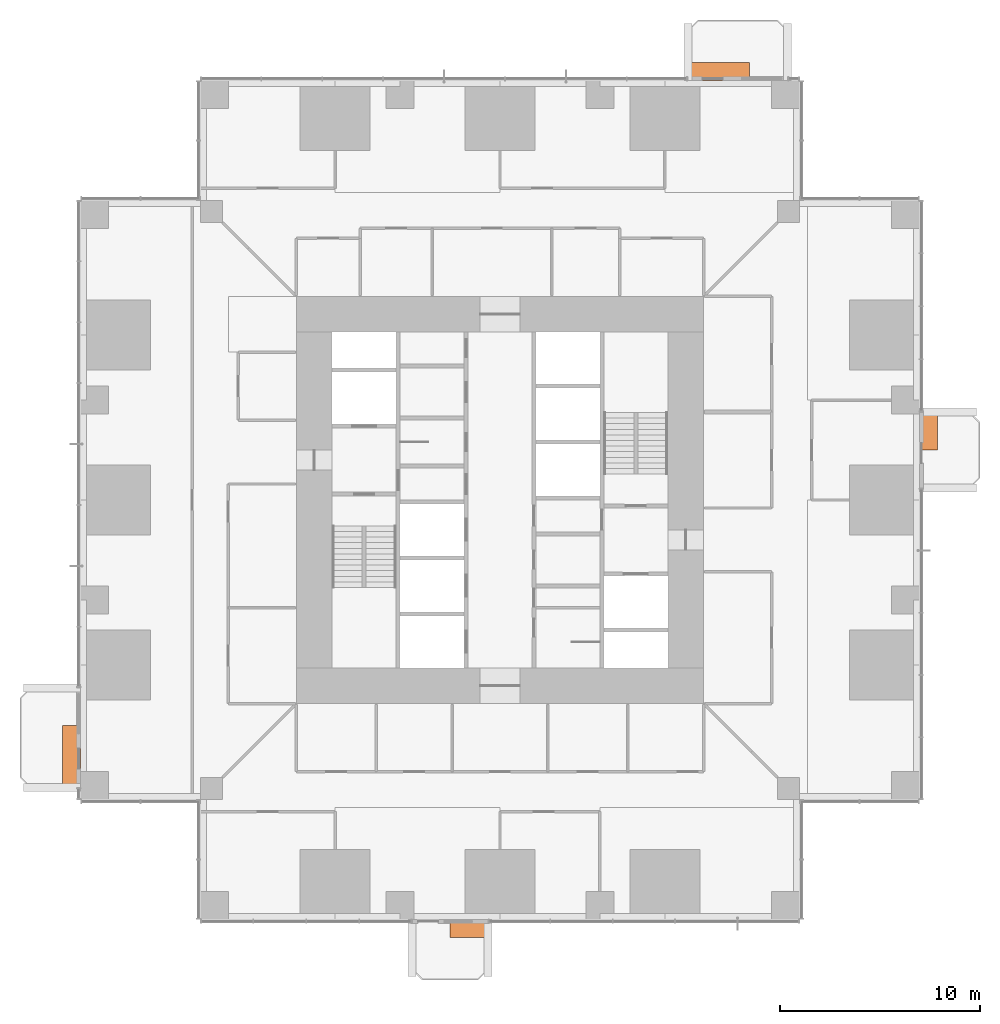
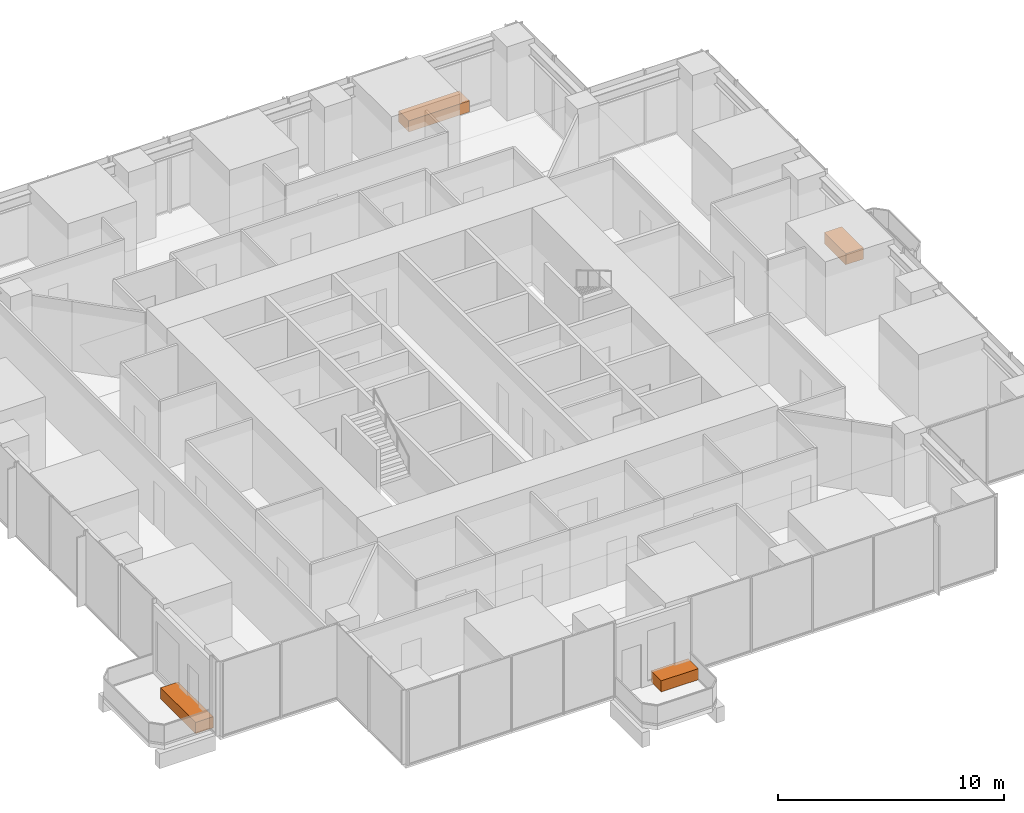
# One storey, part 18 of 18: 4 proxies.
"""IFC4 building model written with IfcOpenShell, lengths in metres."""

from ifc_helpers import new_model, si_unit, direction, frame, origin, origin_2d, place, context, subcontext, project, spatial, rectangle, extrude, element, save


model = new_model("IFC4")

# Units and contexts
model_context = context("Model", 3, precision=1e-05, world=origin(), true_north=direction((0.0, 1.0)))
body_context = subcontext(model_context, "Body", "Model", "MODEL_VIEW")
ifc_project = project(units=[si_unit("LENGTHUNIT", "METRE"), si_unit("AREAUNIT", "SQUARE_METRE"), si_unit("VOLUMEUNIT", "CUBIC_METRE"), si_unit("PLANEANGLEUNIT", "RADIAN"), si_unit("MASSUNIT", "GRAM", prefix="KILO")], contexts=[model_context])

# Site, building, storey
site_placement = place(None, origin())
site = spatial("IfcSite", under=ifc_project, at=site_placement, CompositionType="ELEMENT")
building_placement = place(site_placement, origin())
building = spatial("IfcBuilding", under=site, at=building_placement, Name="Svetlomir Tower", CompositionType="ELEMENT")
storey_placement = place(building_placement, frame((0.0, 0.0, 46.5)))
storey = spatial("IfcBuildingStorey", under=building, at=storey_placement, Name="L10", CompositionType="ELEMENT", Elevation=46.5)

# Proxies
proxy_1_placement = place(storey_placement, frame((19.449951171875, -0.449951171875, 0.0400390625), z_axis=(0.0, 0.0, 1.0), x_axis=(1.0, 0.0, 0.0)))
element("IfcBuildingElementProxy", 1, at=proxy_1_placement, inside=storey, Name="Tree planter S L10", ObjectType="PLANTER", PredefinedType="USERDEFINED", context=body_context, shape_type="SweptSolid", body=[
    extrude(rectangle(XDim=1.89990234375, YDim=0.89990234375, at=origin_2d()), origin(), (0.0, 0.0, 1.0), 0.60009765625),
])
proxy_2_placement = place(storey_placement, frame((42.449951171875, 24.449951171875, 0.0400390625), z_axis=(0.0, 0.0, 1.0), x_axis=(1.0, 0.0, 0.0)))
element("IfcBuildingElementProxy", 2, at=proxy_2_placement, inside=storey, Name="Tree planter E L10", ObjectType="PLANTER", PredefinedType="USERDEFINED", context=body_context, shape_type="SweptSolid", body=[
    extrude(rectangle(XDim=0.89990234375, YDim=1.89990234375, at=origin_2d()), origin(), (0.0, 0.0, 1.0), 0.60009765625),
])
proxy_3_placement = place(storey_placement, frame((31.949951171875, 42.449951171875, 0.0400390625), z_axis=(0.0, 0.0, 1.0), x_axis=(1.0, 0.0, 0.0)))
element("IfcBuildingElementProxy", 3, at=proxy_3_placement, inside=storey, Name="Tree planter N L10", ObjectType="PLANTER", PredefinedType="USERDEFINED", context=body_context, shape_type="SweptSolid", body=[
    extrude(rectangle(XDim=3.10009765625, YDim=0.89990234375, at=origin_2d()), origin(), (0.0, 0.0, 1.0), 0.60009765625),
])
proxy_4_placement = place(storey_placement, frame((-0.449951171875, 8.14990234375, 0.0400390625), z_axis=(0.0, 0.0, 1.0), x_axis=(1.0, 0.0, 0.0)))
element("IfcBuildingElementProxy", 4, at=proxy_4_placement, inside=storey, Name="Tree planter W L10", ObjectType="PLANTER", PredefinedType="USERDEFINED", context=body_context, shape_type="SweptSolid", body=[
    extrude(rectangle(XDim=0.89990234375, YDim=3.10009765625, at=origin_2d()), origin(), (0.0, 0.0, 1.0), 0.60009765625),
])

save(model, "model.ifc")
